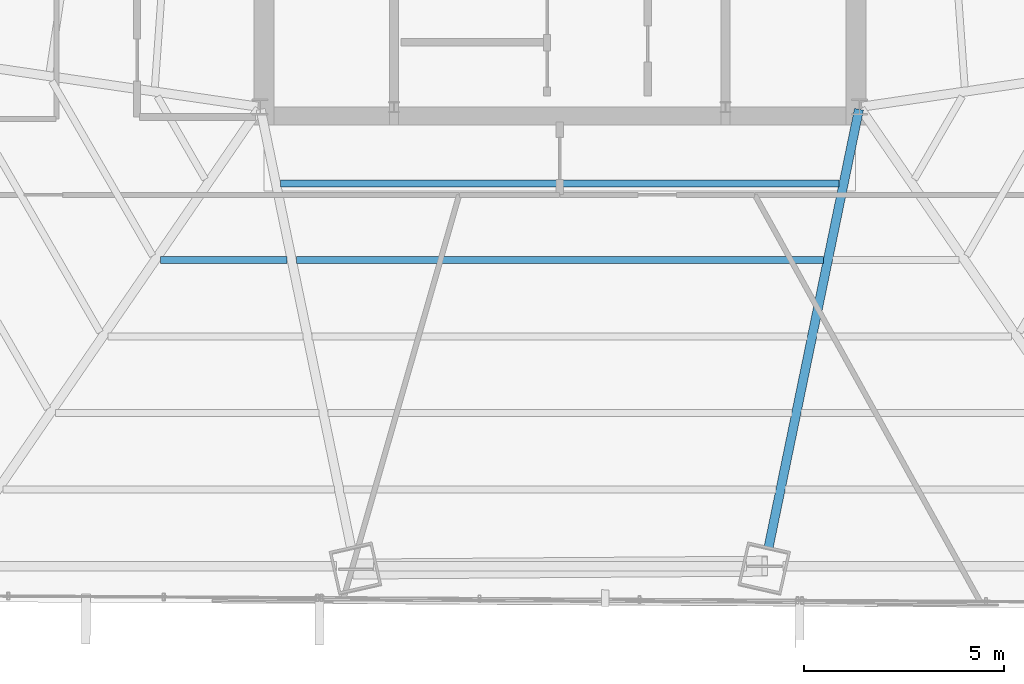
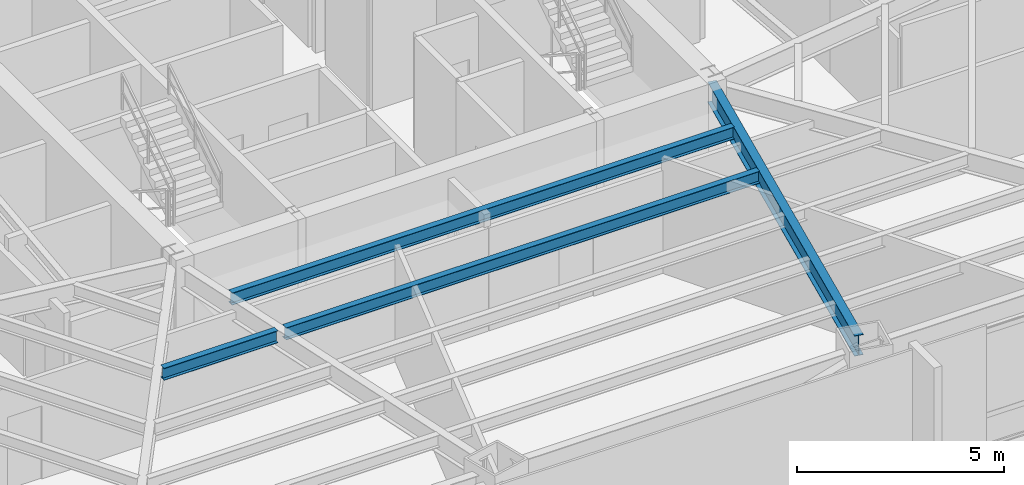
# One storey, part 10 of 36: 4 beams.
"""IFC4 building model written with IfcOpenShell, lengths in metres."""

from ifc_helpers import new_model, si_unit, direction, frame, origin, origin_2d, place, context, subcontext, project, spatial, i_section, extrude, source, transform, mapped, material, material_profile, profile_set, type_object, type_shapes, element, save


model = new_model("IFC4")

# Units and contexts
model_context = context("Model", 3, precision=1e-05, world=origin(), true_north=direction((0.0, 1.0)))
body_context = subcontext(model_context, "Body", "Model", "MODEL_VIEW")
ifc_project = project(units=[si_unit("LENGTHUNIT", "METRE"), si_unit("AREAUNIT", "SQUARE_METRE"), si_unit("VOLUMEUNIT", "CUBIC_METRE"), si_unit("PLANEANGLEUNIT", "RADIAN"), si_unit("MASSUNIT", "GRAM", prefix="KILO")], contexts=[model_context])

# Site, building, storey
site_placement = place(None, origin())
site = spatial("IfcSite", under=ifc_project, at=site_placement, CompositionType="ELEMENT")
building_placement = place(site_placement, origin())
building = spatial("IfcBuilding", under=site, at=building_placement, Name="Caelisora Broadcast Tower", CompositionType="ELEMENT")
storey_placement = place(building_placement, frame((0.0, 0.0, 79.85009765625)))
storey = spatial("IfcBuildingStorey", under=building, at=storey_placement, Name="L20", CompositionType="ELEMENT", Elevation=79.85009765625)

# Beams
ifc_material = material(Name="Steel Grade 350 (AS/NZS 3679.1)", Category="steel")
ifc_material_profile_1 = material_profile(ifc_material, i_section(OverallWidth=0.22802734375, OverallDepth=0.602294921875, WebThickness=0.010498046875, FlangeThickness=0.014892578125, at=origin_2d()), Name="Steel Grade 350 (AS/NZS 3679.1)")
ifc_profile_set_1 = profile_set([ifc_material_profile_1], Name="Steel Grade 350 (AS/NZS 3679.1)")
beam_type_1 = type_object("IfcBeamType", Name="PG04", PredefinedType="BEAM", material=ifc_profile_set_1)
shared_shape_1 = source(origin(), body_context, "Body", "SweptSolid", [
    extrude(i_section(OverallWidth=0.22802734375, OverallDepth=0.602294921875, WebThickness=0.010498046875, FlangeThickness=0.014892578125, at=origin_2d()), origin(), (0.0, 0.0, 1.0), 11.2548828125),
])
type_shapes(beam_type_1, [shared_shape_1])
beam_1_placement = place(storey_placement, frame((45.48779296875, 17.34130859375, 3.098876953125), z_axis=(-0.202081951352, -0.979368615455, 0.0), x_axis=(0.979368615455, -0.202081951352, 0.0)))
element("IfcBeam", 1, at=beam_1_placement, inside=storey, type_object=beam_type_1, Name="L20 beam PG04", PredefinedType="BEAM", context=body_context, shape_type="MappedRepresentation", body=[
    mapped(shared_shape_1, transform((0.0, 0.0, 0.0), scale=1.0)),
])
ifc_material_profile_2 = material_profile(ifc_material, i_section(OverallWidth=0.172119140625, OverallDepth=0.358642578125, WebThickness=0.008056640625, FlangeThickness=0.012939453125, at=origin_2d()), Name="Steel Grade 350 (AS/NZS 3679.1)")
ifc_profile_set_2 = profile_set([ifc_material_profile_2], Name="Steel Grade 350 (AS/NZS 3679.1)")
beam_type_2 = type_object("IfcBeamType", Name="SB02", PredefinedType="JOIST", material=ifc_profile_set_2)
shared_shape_2 = source(origin(), body_context, "Body", "SweptSolid", [
    extrude(i_section(OverallWidth=0.172119140625, OverallDepth=0.358642578125, WebThickness=0.008056640625, FlangeThickness=0.012939453125, at=origin_2d()), origin(), (0.0, 0.0, 1.0), 3.170166015625),
])
beam_2_placement = place(storey_placement, frame((28.0068359375, 13.569091796875, 3.220703125), z_axis=(1.0, 0.0, 0.0), x_axis=(0.0, 1.0, 0.0)))
element("IfcBeam", 2, at=beam_2_placement, inside=storey, type_object=beam_type_2, Name="L20 beam SB02", PredefinedType="JOIST", context=body_context, shape_type="MappedRepresentation", body=[
    mapped(shared_shape_2, transform((0.0, 0.0, 0.0), scale=1.0)),
])
shared_shape_3 = source(origin(), body_context, "Body", "SweptSolid", [
    extrude(i_section(OverallWidth=0.172119140625, OverallDepth=0.358642578125, WebThickness=0.008056640625, FlangeThickness=0.012939453125, at=origin_2d()), origin(), (0.0, 0.0, 1.0), 13.982421875),
])
beam_3_placement = place(storey_placement, frame((31.0087890625, 15.484619140625, 3.220703125), z_axis=(1.0, 0.0, 0.0), x_axis=(0.0, 1.0, 0.0)))
element("IfcBeam", 3, at=beam_3_placement, inside=storey, type_object=beam_type_2, Name="L20 beam SB02", PredefinedType="JOIST", context=body_context, shape_type="MappedRepresentation", body=[
    mapped(shared_shape_3, transform((0.0, 0.0, 0.0), scale=1.0)),
])
shared_shape_4 = source(origin(), body_context, "Body", "SweptSolid", [
    extrude(i_section(OverallWidth=0.172119140625, OverallDepth=0.358642578125, WebThickness=0.008056640625, FlangeThickness=0.012939453125, at=origin_2d()), origin(), (0.0, 0.0, 1.0), 13.1923828125),
])
type_shapes(beam_type_2, [shared_shape_2, shared_shape_3, shared_shape_4])
beam_4_placement = place(storey_placement, frame((31.40380859375, 13.569091796875, 3.220703125), z_axis=(1.0, 0.0, 0.0), x_axis=(0.0, 1.0, 0.0)))
element("IfcBeam", 4, at=beam_4_placement, inside=storey, type_object=beam_type_2, Name="L20 beam SB02", PredefinedType="JOIST", context=body_context, shape_type="MappedRepresentation", body=[
    mapped(shared_shape_4, transform((0.0, 0.0, 0.0), scale=1.0)),
])

save(model, "model.ifc")
